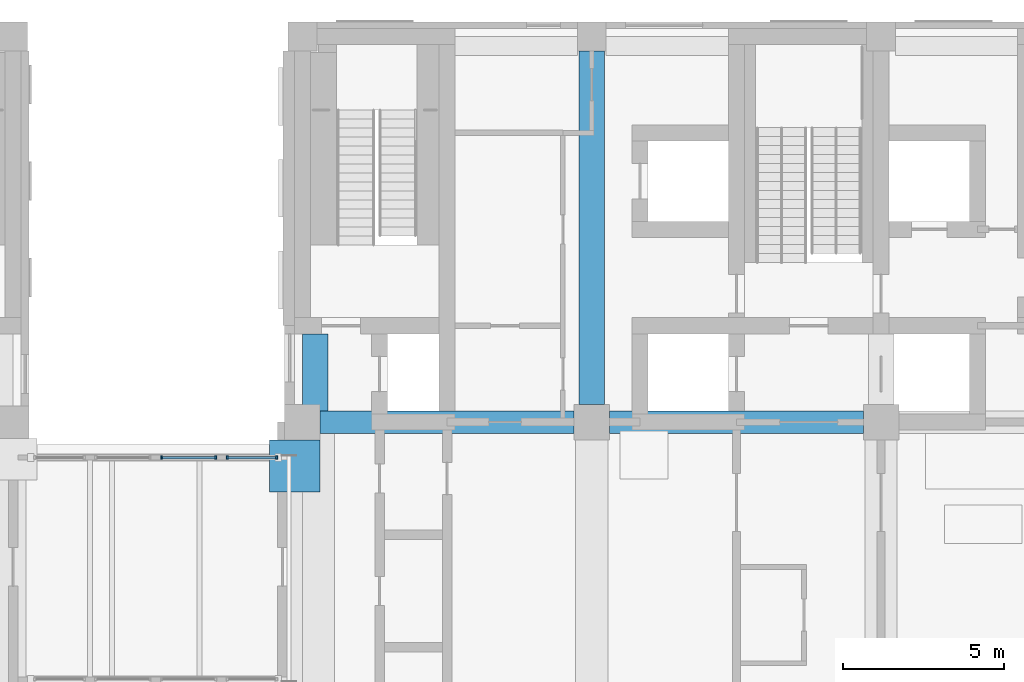
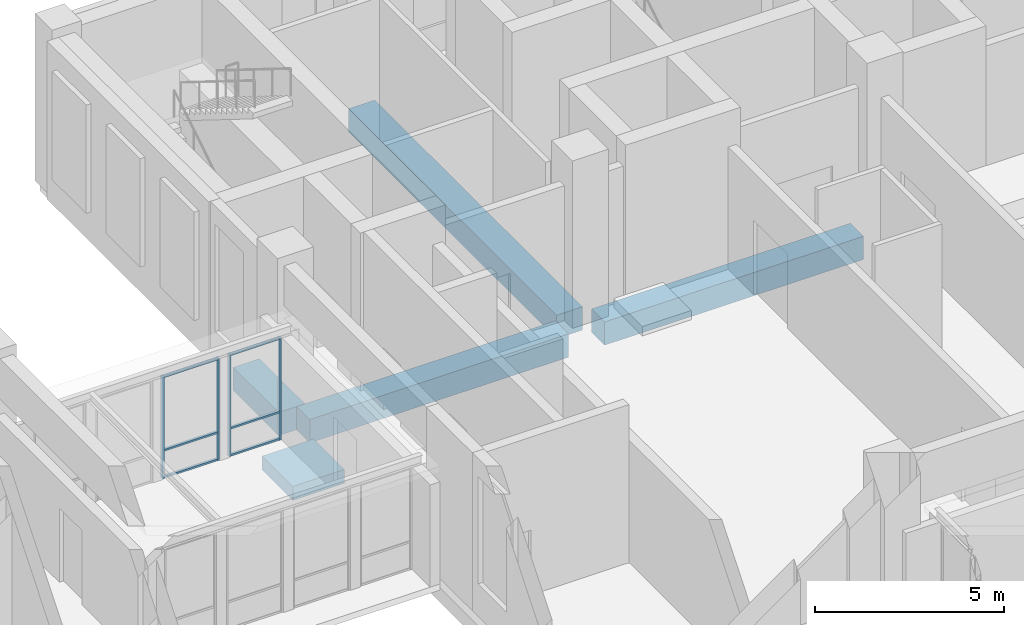
# One storey, part 16 of 52: 11 members, 4 beams, 2 elements without a shape of their own.
"""IFC4 building model written with IfcOpenShell, lengths in metres."""

from ifc_helpers import new_model, si_unit, direction, frame, origin, origin_2d, place, context, subcontext, project, spatial, rectangle, extrude, material, layer, layer_set, material_profile, profile_set, type_object, element, aggregate, save


model = new_model("IFC4")

# Units and contexts
model_context = context("Model", 3, precision=1e-05, world=origin(), true_north=direction((0.0, 1.0)))
body_context = subcontext(model_context, "Body", "Model", "MODEL_VIEW")
ifc_project = project(units=[si_unit("LENGTHUNIT", "METRE"), si_unit("AREAUNIT", "SQUARE_METRE"), si_unit("VOLUMEUNIT", "CUBIC_METRE"), si_unit("PLANEANGLEUNIT", "RADIAN"), si_unit("MASSUNIT", "GRAM", prefix="KILO")], contexts=[model_context])

# Site, building, storey
site_placement = place(None, origin())
site = spatial("IfcSite", under=ifc_project, at=site_placement, CompositionType="ELEMENT")
building_placement = place(site_placement, origin())
building = spatial("IfcBuilding", under=site, at=building_placement, Name="Aurelan Courthouse", CompositionType="ELEMENT")
storey_placement = place(building_placement, frame((0.0, 0.0, 6.60009765625)))
storey = spatial("IfcBuildingStorey", under=building, at=storey_placement, Name="L01", CompositionType="ELEMENT", Elevation=6.60009765625)

# Member
ifc_material_1 = material(Name="Concrete C50", Category="concrete")
member_type_1 = type_object("IfcMemberType", Name="Corbel 1575 x 1625 x 450", PredefinedType="USERDEFINED", material=ifc_material_1)
member_1_placement = place(storey_placement, frame((35.762451171875, 52.637451171875, -1.25), z_axis=(0.0, 0.0, 1.0), x_axis=(1.0, 0.0, 0.0)))
element("IfcMember", 1, at=member_1_placement, inside=storey, type_object=member_type_1, Name="Corbel CO-16", ObjectType="CORBEL", PredefinedType="USERDEFINED", context=body_context, shape_type="SweptSolid", body=[
    extrude(rectangle(XDim=1.574951171875, YDim=1.625, at=origin_2d()), origin(), (0.0, 0.0, 1.0), 0.449951171875),
])

# Beams
ifc_material_profile_1 = material_profile(ifc_material_1, rectangle(XDim=0.699951171875, YDim=0.75, at=origin_2d()), Name="RC 700 x 750")
ifc_profile_set_1 = profile_set([ifc_material_profile_1], Name="Concrete C50")
beam_type_1 = type_object("IfcBeamType", Name="PT beam 700 x 750", PredefinedType="BEAM", material=ifc_profile_set_1)
for number, where, z_axis, x_axis, name in (
    (2, (36.550048828125, 54.0, -0.675048828125), (1.0, 0.0, 0.0), (0.0, 1.0, 0.0), "Beam EB-E-5-6"),
    (3, (45.550048828125, 54.0, -0.675048828125), (1.0, 0.0, 0.0), (0.0, 1.0, 0.0), "Beam EB-E-6-7"),
):
    element("IfcBeam", number, at=place(storey_placement, frame(where, z_axis=z_axis, x_axis=x_axis)), inside=storey, type_object=beam_type_1, Name=name, PredefinedType="BEAM", context=body_context, shape_type="SweptSolid", body=[
        extrude(rectangle(XDim=0.699951171875, YDim=0.75, at=origin_2d()), origin(), (0.0, 0.0, 1.0), 7.89990234375),
    ])
ifc_material_profile_2 = material_profile(ifc_material_1, rectangle(XDim=0.800048828125, YDim=0.75, at=origin_2d()), Name="RC 800 x 750")
ifc_profile_set_2 = profile_set([ifc_material_profile_2], Name="Concrete C50")
beam_type_2 = type_object("IfcBeamType", Name="PT girder 800 x 750", PredefinedType="BEAM", material=ifc_profile_set_2)
beam_1_placement = place(storey_placement, frame((36.39990234375, 54.35009765625, -0.675048828125), z_axis=(0.0, 1.0, 0.0), x_axis=(-1.0, 0.0, 0.0)))
element("IfcBeam", 4, at=beam_1_placement, inside=storey, type_object=beam_type_2, Name="Girder GB-5EF-E", PredefinedType="BEAM", context=body_context, shape_type="SweptSolid", body=[
    extrude(rectangle(XDim=0.800048828125, YDim=0.75, at=origin_2d()), origin(), (0.0, 0.0, 1.0), 2.39990234375),
])
beam_2_placement = place(storey_placement, frame((45.0, 54.550048828125, -0.675048828125), z_axis=(0.0, 1.0, 0.0), x_axis=(-1.0, 0.0, 0.0)))
element("IfcBeam", 5, at=beam_2_placement, inside=storey, type_object=beam_type_2, Name="Girder GB-6EF", PredefinedType="BEAM", context=body_context, shape_type="SweptSolid", body=[
    extrude(rectangle(XDim=0.800048828125, YDim=0.75, at=origin_2d()), origin(), (0.0, 0.0, 1.0), 11.0),
])

# Curtain wall, members
ifc_material_2 = material(Name="Bronze-finished aluminium and glass", Category="aluminium")
ifc_layer_1 = layer(ifc_material_2, 0.1201171875)
ifc_layer_set_1 = layer_set([ifc_layer_1], Name="Bronze-finished aluminium and glass")
curtain_wall_type_1 = type_object("IfcCurtainWallType", Name="Passage glazing 1744 x 3300", PredefinedType="NOTDEFINED", material=ifc_layer_set_1)
curtain_wall_1_placement = place(storey_placement, origin())
curtain_wall_1 = element("IfcCurtainWall", 6, at=curtain_wall_1_placement, inside=storey, type_object=curtain_wall_type_1, Name="Curtain wall CW-L01-BR407", PredefinedType="NOTDEFINED")
ifc_material_3 = material(Name="Bronze-finished aluminium", Category="aluminium")
ifc_material_profile_3 = material_profile(ifc_material_3, rectangle(XDim=0.10009765625, YDim=0.054931640625, at=origin_2d()), Name="Passage glazing mullion 55 x 100")
ifc_profile_set_3 = profile_set([ifc_material_profile_3], Name="Bronze-finished aluminium")
member_type_2 = type_object("IfcMemberType", Name="Passage glazing mullion 55 x 100", PredefinedType="MULLION", material=ifc_profile_set_3)
member_2_placement = place(storey_placement, frame((31.614990234375, 52.89990234375, 0.0), z_axis=(0.0, 0.0, 1.0), x_axis=(0.0, 1.0, 0.0)))
member_2 = element("IfcMember", 7, at=member_2_placement, type_object=member_type_2, Name="CW-L01-BR407 mullion 1", PredefinedType="MULLION", context=body_context, shape_type="SweptSolid", body=[
    extrude(rectangle(XDim=0.10009765625, YDim=0.054931640625, at=origin_2d()), origin(), (0.0, 0.0, 1.0), 3.2998046875),
])
member_3_placement = place(storey_placement, frame((33.3037109375, 52.89990234375, 0.0), z_axis=(0.0, 0.0, 1.0), x_axis=(0.0, 1.0, 0.0)))
member_3 = element("IfcMember", 8, at=member_3_placement, type_object=member_type_2, Name="CW-L01-BR407 mullion 2", PredefinedType="MULLION", context=body_context, shape_type="SweptSolid", body=[
    extrude(rectangle(XDim=0.10009765625, YDim=0.054931640625, at=origin_2d()), origin(), (0.0, 0.0, 1.0), 3.2998046875),
])

ifc_layer_2 = layer(ifc_material_2, 0.1201171875)
ifc_layer_set_2 = layer_set([ifc_layer_2], Name="Bronze-finished aluminium and glass")
curtain_wall_type_2 = type_object("IfcCurtainWallType", Name="Passage glazing 1594 x 3300", PredefinedType="NOTDEFINED", material=ifc_layer_set_2)
curtain_wall_2_placement = place(storey_placement, origin())
curtain_wall_2 = element("IfcCurtainWall", 9, at=curtain_wall_2_placement, inside=storey, type_object=curtain_wall_type_2, Name="Curtain wall CW-L01-BR408", PredefinedType="NOTDEFINED")
member_4_placement = place(storey_placement, frame((33.65869140625, 52.89990234375, 0.0), z_axis=(0.0, 0.0, 1.0), x_axis=(0.0, 1.0, 0.0)))
member_4 = element("IfcMember", 10, at=member_4_placement, type_object=member_type_2, Name="CW-L01-BR408 mullion 1", PredefinedType="MULLION", context=body_context, shape_type="SweptSolid", body=[
    extrude(rectangle(XDim=0.10009765625, YDim=0.054931640625, at=origin_2d()), origin(), (0.0, 0.0, 1.0), 3.2998046875),
])
member_5_placement = place(storey_placement, frame((35.197509765625, 52.89990234375, 0.0), z_axis=(0.0, 0.0, 1.0), x_axis=(0.0, 1.0, 0.0)))
member_5 = element("IfcMember", 11, at=member_5_placement, type_object=member_type_2, Name="CW-L01-BR408 mullion 2", PredefinedType="MULLION", context=body_context, shape_type="SweptSolid", body=[
    extrude(rectangle(XDim=0.10009765625, YDim=0.054931640625, at=origin_2d()), origin(), (0.0, 0.0, 1.0), 3.2998046875),
])

# Member
ifc_material_profile_4 = material_profile(ifc_material_3, rectangle(XDim=0.080078125, YDim=0.054931640625, at=origin_2d()), Name="Passage glazing transom 55 x 80")
ifc_profile_set_4 = profile_set([ifc_material_profile_4], Name="Bronze-finished aluminium")
member_type_3 = type_object("IfcMemberType", Name="Passage glazing transom 55 x 80", PredefinedType="USERDEFINED", material=ifc_profile_set_4)
member_6_placement = place(storey_placement, frame((31.642578125, 52.89990234375, 0.02734375), z_axis=(1.0, 0.0, 0.0), x_axis=(0.0, 1.0, 0.0)))
member_6 = element("IfcMember", 12, at=member_6_placement, type_object=member_type_3, Name="CW-L01-BR407 transom 1.1", ObjectType="TRANSOM", PredefinedType="USERDEFINED", context=body_context, shape_type="SweptSolid", body=[
    extrude(rectangle(XDim=0.080078125, YDim=0.054931640625, at=origin_2d()), origin(), (0.0, 0.0, 1.0), 1.6337890625),
])

member_7_placement = place(storey_placement, frame((31.642578125, 52.89990234375, 0.89990234375), z_axis=(1.0, 0.0, 0.0), x_axis=(0.0, 1.0, 0.0)))
member_7 = element("IfcMember", 13, at=member_7_placement, type_object=member_type_3, Name="CW-L01-BR407 transom 1.2", ObjectType="TRANSOM", PredefinedType="USERDEFINED", context=body_context, shape_type="SweptSolid", body=[
    extrude(rectangle(XDim=0.080078125, YDim=0.054931640625, at=origin_2d()), origin(), (0.0, 0.0, 1.0), 1.6337890625),
])

member_8_placement = place(storey_placement, frame((31.642578125, 52.89990234375, 3.2724609375), z_axis=(1.0, 0.0, 0.0), x_axis=(0.0, 1.0, 0.0)))
member_8 = element("IfcMember", 14, at=member_8_placement, type_object=member_type_3, Name="CW-L01-BR407 transom 1.3", ObjectType="TRANSOM", PredefinedType="USERDEFINED", context=body_context, shape_type="SweptSolid", body=[
    extrude(rectangle(XDim=0.080078125, YDim=0.054931640625, at=origin_2d()), origin(), (0.0, 0.0, 1.0), 1.6337890625),
])

aggregate(curtain_wall_1, [member_2, member_3, member_6, member_7, member_8])

member_9_placement = place(storey_placement, frame((33.686279296875, 52.89990234375, 0.02734375), z_axis=(1.0, 0.0, 0.0), x_axis=(0.0, 1.0, 0.0)))
member_9 = element("IfcMember", 15, at=member_9_placement, type_object=member_type_3, Name="CW-L01-BR408 transom 1.1", ObjectType="TRANSOM", PredefinedType="USERDEFINED", context=body_context, shape_type="SweptSolid", body=[
    extrude(rectangle(XDim=0.080078125, YDim=0.054931640625, at=origin_2d()), origin(), (0.0, 0.0, 1.0), 1.483642578125),
])

member_10_placement = place(storey_placement, frame((33.686279296875, 52.89990234375, 0.89990234375), z_axis=(1.0, 0.0, 0.0), x_axis=(0.0, 1.0, 0.0)))
member_10 = element("IfcMember", 16, at=member_10_placement, type_object=member_type_3, Name="CW-L01-BR408 transom 1.2", ObjectType="TRANSOM", PredefinedType="USERDEFINED", context=body_context, shape_type="SweptSolid", body=[
    extrude(rectangle(XDim=0.080078125, YDim=0.054931640625, at=origin_2d()), origin(), (0.0, 0.0, 1.0), 1.483642578125),
])

member_11_placement = place(storey_placement, frame((33.686279296875, 52.89990234375, 3.2724609375), z_axis=(1.0, 0.0, 0.0), x_axis=(0.0, 1.0, 0.0)))
member_11 = element("IfcMember", 17, at=member_11_placement, type_object=member_type_3, Name="CW-L01-BR408 transom 1.3", ObjectType="TRANSOM", PredefinedType="USERDEFINED", context=body_context, shape_type="SweptSolid", body=[
    extrude(rectangle(XDim=0.080078125, YDim=0.054931640625, at=origin_2d()), origin(), (0.0, 0.0, 1.0), 1.483642578125),
])

aggregate(curtain_wall_2, [member_4, member_5, member_9, member_10, member_11])

save(model, "model.ifc")
